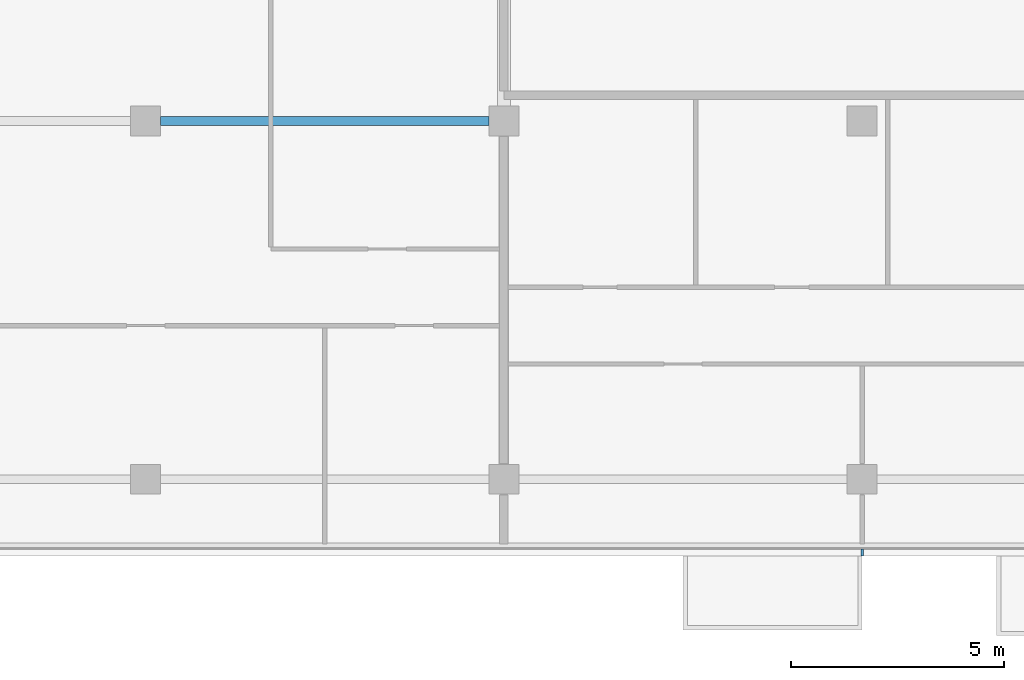
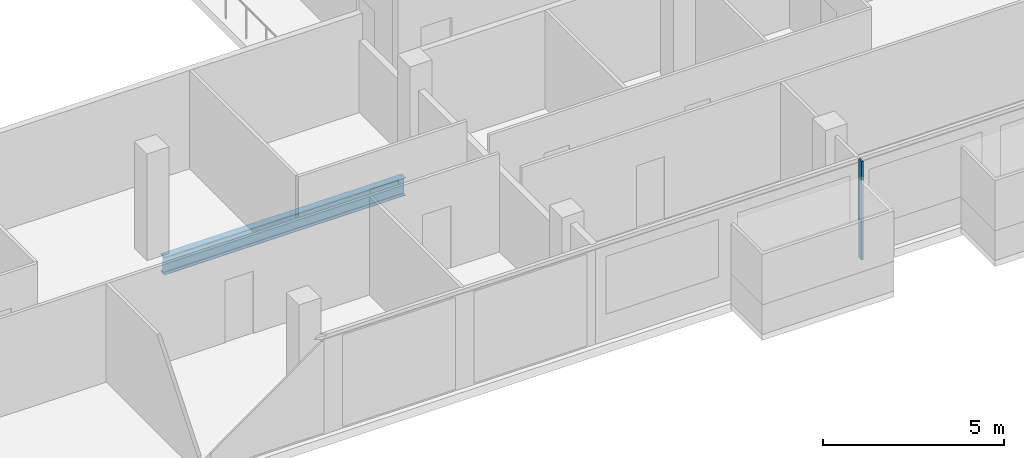
# One storey, part 6 of 30: 1 beam, 1 member, 1 element without a shape of its own.
"""IFC4 building model written with IfcOpenShell, lengths in metres."""

from ifc_helpers import new_model, si_unit, direction, frame, origin, origin_2d, place, context, subcontext, project, spatial, rectangle, i_section, extrude, material, material_profile, profile_set, type_object, element, aggregate, save


model = new_model("IFC4")

# Units and contexts
model_context = context("Model", 3, precision=1e-05, world=origin(), true_north=direction((0.0, 1.0)))
body_context = subcontext(model_context, "Body", "Model", "MODEL_VIEW")
ifc_project = project(units=[si_unit("LENGTHUNIT", "METRE"), si_unit("AREAUNIT", "SQUARE_METRE"), si_unit("VOLUMEUNIT", "CUBIC_METRE"), si_unit("PLANEANGLEUNIT", "RADIAN"), si_unit("MASSUNIT", "GRAM", prefix="KILO")], contexts=[model_context])

# Site, building, storey
site_placement = place(None, origin())
site = spatial("IfcSite", under=ifc_project, at=site_placement, CompositionType="ELEMENT")
building_placement = place(site_placement, origin())
building = spatial("IfcBuilding", under=site, at=building_placement, Name="Saffron Gate Tower", CompositionType="ELEMENT")
storey_placement = place(building_placement, frame((0.0, 0.0, 165.449951171875)))
storey = spatial("IfcBuildingStorey", under=building, at=storey_placement, Name="L40", CompositionType="ELEMENT", Elevation=165.449951171875)

# Beam
ifc_material_1 = material(Name="Structural steel S355", Category="steel")
ifc_material_profile_1 = material_profile(ifc_material_1, i_section(OverallWidth=0.219970703125, OverallDepth=0.60009765625, WebThickness=0.011962890625, FlangeThickness=0.01904296875, FilletRadius=0.02392578125, at=origin_2d()))
ifc_profile_set_1 = profile_set([ifc_material_profile_1], Name="Structural steel S355")
beam_type = type_object("IfcBeamType", Name="B15 IPE 600", PredefinedType="BEAM", material=ifc_profile_set_1)
beam_placement = place(storey_placement, frame((92.14990234375, 40.199951171875, -0.579833984375), z_axis=(1.0, 0.0, 0.0), x_axis=(0.0, 1.0, 0.0)))
element("IfcBeam", 1, at=beam_placement, inside=storey, type_object=beam_type, Name="B15 FLOOR GIRDER", PredefinedType="BEAM", context=body_context, shape_type="SweptSolid", body=[
    extrude(i_section(OverallWidth=0.219970703125, OverallDepth=0.60009765625, WebThickness=0.011962890625, FlangeThickness=0.01904296875, FilletRadius=0.02392578125, at=origin_2d()), origin(), (0.0, 0.0, 1.0), 7.7001953125),
])

# Curtain wall, member
ifc_material_2 = material(Name="Aluminium, bronze anodised", Category="aluminium")
curtain_wall_type = type_object("IfcCurtainWallType", Name="CWS1 curtain wall front facade", PredefinedType="NOTDEFINED", material=ifc_material_2)
curtain_wall_placement = place(storey_placement, origin())
curtain_wall = element("IfcCurtainWall", 2, at=curtain_wall_placement, inside=storey, type_object=curtain_wall_type, Name="CWS1 run 1", PredefinedType="NOTDEFINED")
ifc_material_profile_2 = material_profile(ifc_material_2, rectangle(XDim=0.159912109375, YDim=0.06005859375, at=origin_2d()))
ifc_profile_set_2 = profile_set([ifc_material_profile_2], Name="Aluminium, bronze anodised")
member_type = type_object("IfcMemberType", Name="CWS1 mullion 60x160", PredefinedType="MULLION", material=ifc_profile_set_2)
member_placement = place(storey_placement, frame((108.60009765625, 30.080078125, 0.0), z_axis=(0.0, 0.0, 1.0), x_axis=(0.0, 1.0, 0.0)))
member = element("IfcMember", 3, at=member_placement, type_object=member_type, Name="CWS1 mullion 8", PredefinedType="MULLION", context=body_context, shape_type="SweptSolid", body=[
    extrude(rectangle(XDim=0.159912109375, YDim=0.06005859375, at=origin_2d()), origin(), (0.0, 0.0, 1.0), 3.320068359375),
])
aggregate(curtain_wall, [member])

save(model, "model.ifc")
